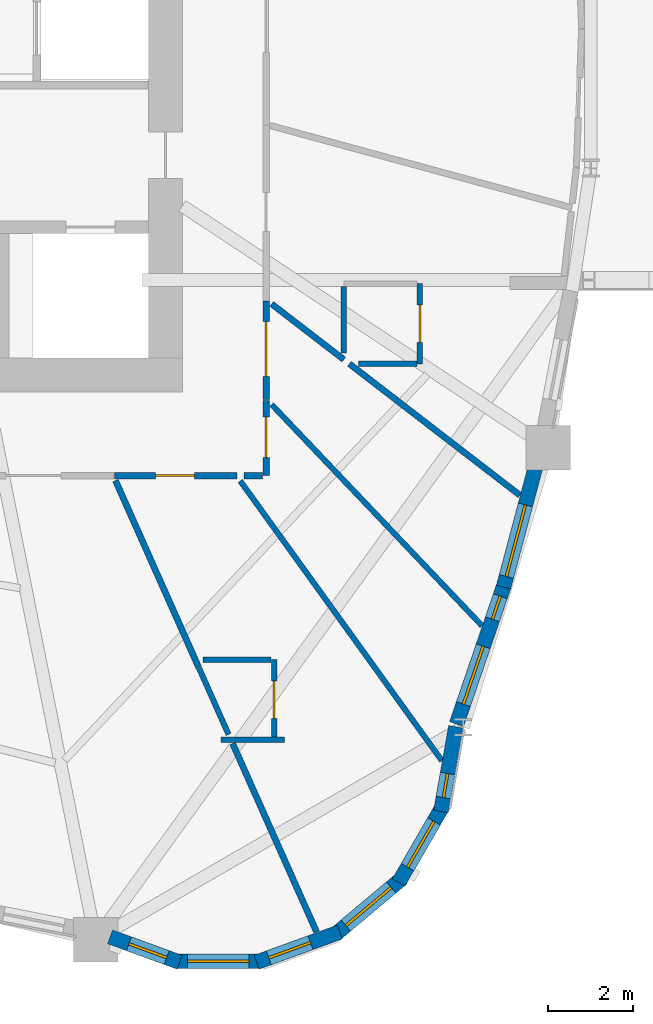
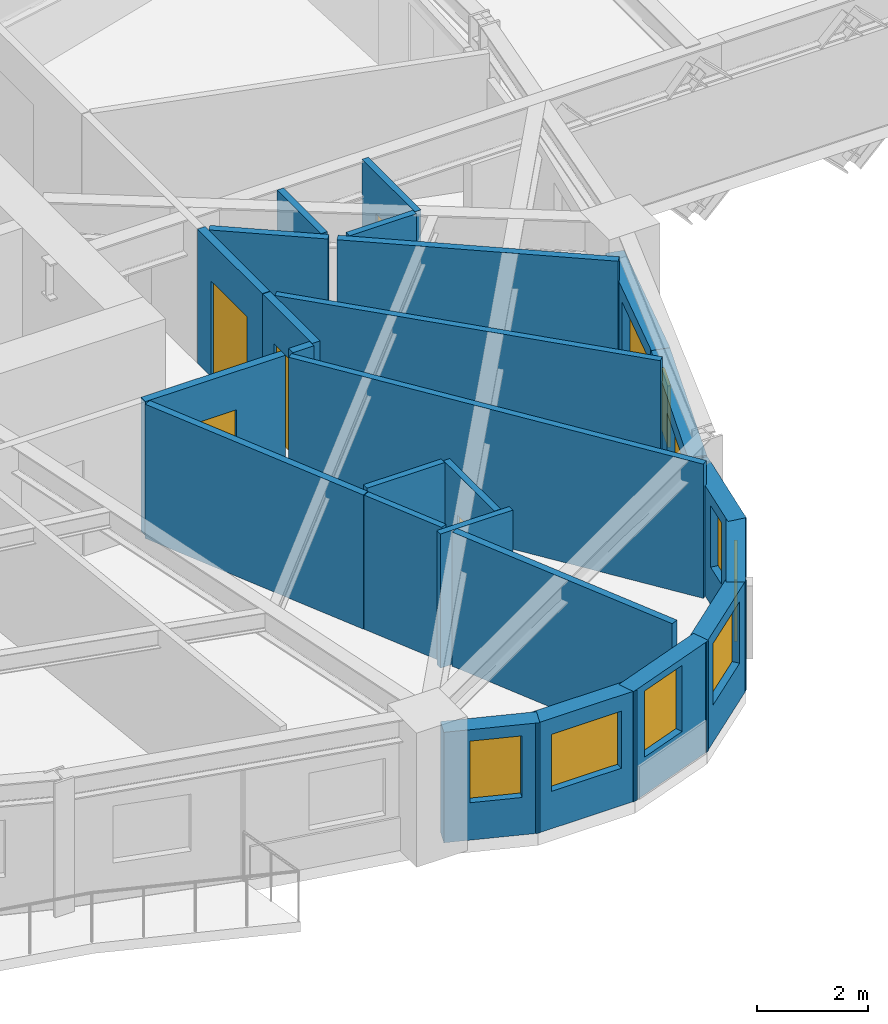
# One storey, part 7 of 16: 25 walls, 9 windows, 5 doors, 14 openings.
"""IFC4 building model written with IfcOpenShell, lengths in metres."""

from ifc_helpers import new_model, si_unit, direction, frame, frame_2d, origin, place, context, subcontext, project, spatial, rectangle, extrude, source, transform, mapped, material, layer, layer_set, type_object, element, fill, save


model = new_model("IFC4")

# Units and contexts
model_context = context("Model", 3, precision=1e-05, world=origin(), true_north=direction((0.0, 1.0)))
body_context = subcontext(model_context, "Body", "Model", "MODEL_VIEW")
ifc_project = project(units=[si_unit("LENGTHUNIT", "METRE"), si_unit("AREAUNIT", "SQUARE_METRE"), si_unit("VOLUMEUNIT", "CUBIC_METRE"), si_unit("PLANEANGLEUNIT", "RADIAN"), si_unit("MASSUNIT", "GRAM", prefix="KILO")], contexts=[model_context])

# Site, building, storey
site_placement = place(None, origin())
site = spatial("IfcSite", under=ifc_project, at=site_placement, CompositionType="ELEMENT")
building_placement = place(site_placement, origin())
building = spatial("IfcBuilding", under=site, at=building_placement, Name="Qafzar Sky-Pleat Residences", CompositionType="ELEMENT")
storey_placement = place(building_placement, frame((0.0, 0.0, 33.39990234375)))
storey = spatial("IfcBuildingStorey", under=building, at=storey_placement, Name="L09", CompositionType="ELEMENT", Elevation=33.39990234375)

# Wall, opening, door
ifc_material_1 = material(Name="Acoustic gypsum plasterboard partition", Category="gypsum")
ifc_layer_1 = layer(ifc_material_1, 0.159912109375)
ifc_layer_set_1 = layer_set([ifc_layer_1], Name="Acoustic gypsum plasterboard partition")
wall_type_1 = type_object("IfcWallType", Name="PART-COR-160", PredefinedType="PARTITIONING", material=ifc_layer_set_1)
wall_1_placement = place(storey_placement, frame((37.9951171875, 15.419921875, 0.0), z_axis=(0.0, 0.0, 1.0), x_axis=(-1.0, 0.0, 0.0)))
wall_1 = element("IfcWall", 1, at=wall_1_placement, inside=storey, type_object=wall_type_1, Name="L09 Partition Wall PART-L09-PW-015", PredefinedType="PARTITIONING", context=body_context, shape_type="SweptSolid", body=[
    extrude(rectangle(XDim=2.900146484375, YDim=0.159912109375, at=frame_2d((1.4501953125, 0.0))), origin(), (0.0, 0.0, 1.0), 2.940185546875),
])
opening_1_placement = place(wall_1_placement, frame((1.014404296875, 0.0, 0.0)))
opening_1 = element("IfcOpeningElement", 2, at=opening_1_placement, cuts=wall_1, Name="Opening ID-04", PredefinedType="OPENING", context=body_context, shape_type="SweptSolid", body=[
    extrude(rectangle(XDim=0.919921875, YDim=2.10009765625, at=frame_2d((0.4599609375, 1.050048828125))), frame((0.0, 0.08984375, 0.0), z_axis=(0.0, -1.0, 0.0), x_axis=(1.0, 0.0, 0.0)), (0.0, 0.0, 1.0), 0.179931640625),
])
ifc_material_2 = material(Name="Timber-faced fire door", Category="wood")
door_type_1 = type_object("IfcDoorType", Name="DR-BED-920", OperationType="NOTDEFINED", PredefinedType="DOOR", material=ifc_material_2)
shared_shape_1 = source(origin(), body_context, "Body", "SweptSolid", [
    extrude(rectangle(XDim=0.919921875, YDim=2.10009765625, at=frame_2d((0.4599609375, 1.050048828125))), frame((0.0, 0.02490234375, 0.0), z_axis=(0.0, -1.0, 0.0), x_axis=(1.0, 0.0, 0.0)), (0.0, 0.0, 1.0), 0.050048828125),
])
door_1_placement = place(opening_1_placement, origin())
door_1 = element("IfcDoor", 3, at=door_1_placement, inside=storey, type_object=door_type_1, Name="L09 Co-Living Bedroom 7 Door", OperationType="SINGLE_SWING_LEFT", OverallHeight=2.10009765625, OverallWidth=0.919921875, PredefinedType="DOOR", context=body_context, shape_type="MappedRepresentation", body=[
    mapped(shared_shape_1, transform((0.0, 0.0, 0.0), x_axis=(1.0, 0.0, 0.0), y_axis=(0.0, 1.0, 0.0), z_axis=(0.0, 0.0, 1.0), scale=1.0)),
])
fill(opening_1, door_1)

wall_2_placement = place(storey_placement, frame((38.679931640625, 19.549072265625, 0.0), z_axis=(0.0, 0.0, 1.0), x_axis=(0.0, -1.0, 0.0)))
wall_2 = element("IfcWall", 4, at=wall_2_placement, inside=storey, type_object=wall_type_1, Name="L09 Partition Wall PART-L09-PW-016", PredefinedType="PARTITIONING", context=body_context, shape_type="SweptSolid", body=[
    extrude(rectangle(XDim=2.3310546875, YDim=0.159912109375, at=frame_2d((1.16552734375, 0.0))), origin(), (0.0, 0.0, 1.0), 2.940185546875),
])
opening_2_placement = place(wall_2_placement, frame((0.487548828125, 0.0, 0.0)))
opening_2 = element("IfcOpeningElement", 5, at=opening_2_placement, cuts=wall_2, Name="Opening ID-05", PredefinedType="OPENING", context=body_context, shape_type="SweptSolid", body=[
    extrude(rectangle(XDim=1.300048828125, YDim=2.10009765625, at=frame_2d((0.64990234375, 1.050048828125))), frame((0.0, 0.08984375, 0.0), z_axis=(0.0, -1.0, 0.0), x_axis=(1.0, 0.0, 0.0)), (0.0, 0.0, 1.0), 0.179931640625),
])
door_type_2 = type_object("IfcDoorType", Name="DR-LNG-1300", OperationType="DOUBLE_DOOR_SINGLE_SWING", PredefinedType="DOOR", material=ifc_material_2)
shared_shape_2 = source(origin(), body_context, "Body", "SweptSolid", [
    extrude(rectangle(XDim=1.300048828125, YDim=2.10009765625, at=frame_2d((0.64990234375, 1.050048828125))), frame((0.0, 0.02490234375, 0.0), z_axis=(0.0, -1.0, 0.0), x_axis=(1.0, 0.0, 0.0)), (0.0, 0.0, 1.0), 0.050048828125),
])
door_2_placement = place(opening_2_placement, origin())
door_2 = element("IfcDoor", 6, at=door_2_placement, inside=storey, type_object=door_type_2, Name="L09 Scholar Study Room Door", OperationType="DOUBLE_DOOR_SINGLE_SWING", OverallHeight=2.10009765625, OverallWidth=1.300048828125, PredefinedType="DOOR", context=body_context, shape_type="MappedRepresentation", body=[
    mapped(shared_shape_2, transform((0.0, 0.0, 0.0), x_axis=(1.0, 0.0, 0.0), y_axis=(0.0, 1.0, 0.0), z_axis=(0.0, 0.0, 1.0), scale=1.0)),
])
fill(opening_2, door_2)

wall_3_placement = place(storey_placement, frame((38.679931640625, 17.202880859375, 0.0), z_axis=(0.0, 0.0, 1.0), x_axis=(0.0, -1.0, 0.0)))
wall_3 = element("IfcWall", 7, at=wall_3_placement, inside=storey, type_object=wall_type_1, Name="L09 Partition Wall PART-L09-PW-030", PredefinedType="PARTITIONING", context=body_context, shape_type="SweptSolid", body=[
    extrude(rectangle(XDim=1.782958984375, YDim=0.159912109375, at=frame_2d((0.8916015625, 0.0))), origin(), (0.0, 0.0, 1.0), 2.940185546875),
])
opening_3_placement = place(wall_3_placement, frame((0.39794921875, 0.0, 0.0)))
opening_3 = element("IfcOpeningElement", 8, at=opening_3_placement, cuts=wall_3, Name="Opening ID-08", PredefinedType="OPENING", context=body_context, shape_type="SweptSolid", body=[
    extrude(rectangle(XDim=0.949951171875, YDim=2.10009765625, at=frame_2d((0.47509765625, 1.050048828125))), frame((0.0, 0.08984375, 0.0), z_axis=(0.0, -1.0, 0.0), x_axis=(1.0, 0.0, 0.0)), (0.0, 0.0, 1.0), 0.179931640625),
])
door_type_3 = type_object("IfcDoorType", Name="DR-AWC-950", OperationType="NOTDEFINED", PredefinedType="DOOR", material=ifc_material_2)
shared_shape_3 = source(origin(), body_context, "Body", "SweptSolid", [
    extrude(rectangle(XDim=0.949951171875, YDim=2.10009765625, at=frame_2d((0.47509765625, 1.050048828125))), frame((0.0, 0.02490234375, 0.0), z_axis=(0.0, -1.0, 0.0), x_axis=(1.0, 0.0, 0.0)), (0.0, 0.0, 1.0), 0.050048828125),
])
door_3_placement = place(opening_3_placement, origin())
door_3 = element("IfcDoor", 9, at=door_3_placement, inside=storey, type_object=door_type_3, Name="L09 Accessible Shared Washroom Door", OperationType="SINGLE_SWING_RIGHT", OverallHeight=2.10009765625, OverallWidth=0.949951171875, PredefinedType="DOOR", context=body_context, shape_type="MappedRepresentation", body=[
    mapped(shared_shape_3, transform((0.0, 0.0, 0.0), x_axis=(1.0, 0.0, 0.0), y_axis=(0.0, 1.0, 0.0), z_axis=(0.0, 0.0, 1.0), scale=1.0)),
])
fill(opening_3, door_3)

# Walls
wall_4_placement = place(storey_placement, frame((38.15576171875, 15.419921875, 0.0), z_axis=(0.0, 0.0, 1.0), x_axis=(1.0, 0.0, 0.0)))
element("IfcWall", 10, at=wall_4_placement, inside=storey, type_object=wall_type_1, Name="L09 Partition Wall PART-L09-PW-097", PredefinedType="PARTITIONING", context=body_context, shape_type="SweptSolid", body=[
    extrude(rectangle(XDim=0.436279296875, YDim=0.159912109375, at=frame_2d((0.21826171875, 0.0))), origin(), (0.0, 0.0, 1.0), 2.940185546875),
])
ifc_layer_2 = layer(ifc_material_1, 0.14501953125)
ifc_layer_set_2 = layer_set([ifc_layer_2], Name="Acoustic gypsum plasterboard partition")
wall_type_2 = type_object("IfcWallType", Name="PART-UNIT-145", PredefinedType="PARTITIONING", material=ifc_layer_set_2)
wall_5_placement = place(storey_placement, frame((40.64892578125, 18.06591796875, 0.0), z_axis=(0.0, 0.0, 1.0), x_axis=(0.792155051101, -0.610319895641, 0.0)))
element("IfcWall", 11, at=wall_5_placement, inside=storey, type_object=wall_type_2, Name="L09 Partition Wall PART-L09-PW-048", PredefinedType="PARTITIONING", context=body_context, shape_type="SweptSolid", body=[
    extrude(rectangle(XDim=5.0927734375, YDim=0.14501953125, at=frame_2d((2.54638671875, 0.0))), origin(), (0.0, 0.0, 1.0), 2.940185546875),
])
wall_6_placement = place(storey_placement, frame((37.88720703125, 9.082275390625, 0.0), z_axis=(0.0, 0.0, 1.0), x_axis=(0.406941066305, -0.913454415149, 0.0)))
element("IfcWall", 12, at=wall_6_placement, inside=storey, type_object=wall_type_2, Name="L09 Partition Wall PART-L09-PW-049", PredefinedType="PARTITIONING", context=body_context, shape_type="SweptSolid", body=[
    extrude(rectangle(XDim=4.8818359375, YDim=0.14501953125, at=frame_2d((2.44091796875, 0.0))), origin(), (0.0, 0.0, 1.0), 2.940185546875),
])
wall_7_placement = place(storey_placement, frame((35.115966796875, 15.30322265625, 0.0), z_axis=(0.0, 0.0, 1.0), x_axis=(0.406910733823, -0.913467927571, 0.0)))
element("IfcWall", 13, at=wall_7_placement, inside=storey, type_object=wall_type_2, Name="L09 Partition Wall PART-L09-PW-050", PredefinedType="PARTITIONING", context=body_context, shape_type="SweptSolid", body=[
    extrude(rectangle(XDim=4.8388671875, YDim=0.14501953125, at=frame_2d((2.41943359375, 0.0))), origin(), (0.0, 0.0, 1.0), 2.940185546875),
])
wall_8_placement = place(storey_placement, frame((38.810546875, 19.482421875, 0.0), z_axis=(0.0, 0.0, 1.0), x_axis=(0.792185877025, -0.61027988353, 0.0)))
element("IfcWall", 14, at=wall_8_placement, inside=storey, type_object=wall_type_2, Name="L09 Partition Wall PART-L09-PW-059", PredefinedType="PARTITIONING", context=body_context, shape_type="SweptSolid", body=[
    extrude(rectangle(XDim=2.155517578125, YDim=0.14501953125, at=frame_2d((1.07763671875, 0.0))), origin(), (0.0, 0.0, 1.0), 2.940185546875),
])

# Wall, opening, door
ifc_material_3 = material(Name="Moisture-resistant gypsum partition", Category="gypsum")
ifc_layer_3 = layer(ifc_material_3, 0.1298828125)
ifc_layer_set_3 = layer_set([ifc_layer_3], Name="Moisture-resistant gypsum partition")
wall_type_3 = type_object("IfcWallType", Name="PART-WET-130", PredefinedType="PARTITIONING", material=ifc_layer_set_3)
wall_9_placement = place(storey_placement, frame((42.318115234375, 18.06591796875, 0.0), z_axis=(0.0, 0.0, 1.0), x_axis=(0.0, 1.0, 0.0)))
wall_9 = element("IfcWall", 15, at=wall_9_placement, inside=storey, type_object=wall_type_3, Name="L09 Partition Wall PART-L09-PW-020", PredefinedType="PARTITIONING", context=body_context, shape_type="SweptSolid", body=[
    extrude(rectangle(XDim=1.900146484375, YDim=0.1298828125, at=frame_2d((0.9501953125, 0.0))), origin(), (0.0, 0.0, 1.0), 2.940185546875),
])
opening_4_placement = place(wall_9_placement, frame((0.510009765625, 0.0, 0.0)))
opening_4 = element("IfcOpeningElement", 16, at=opening_4_placement, cuts=wall_9, Name="Opening ID-07", PredefinedType="OPENING", context=body_context, shape_type="SweptSolid", body=[
    extrude(rectangle(XDim=0.8798828125, YDim=2.050048828125, at=frame_2d((0.43994140625, 1.02490234375))), frame((0.0, 0.074951171875, 0.0), z_axis=(0.0, -1.0, 0.0), x_axis=(1.0, 0.0, 0.0)), (0.0, 0.0, 1.0), 0.14990234375),
])
door_type_4 = type_object("IfcDoorType", Name="DR-WET-880", OperationType="NOTDEFINED", PredefinedType="DOOR", material=ifc_material_2)
shared_shape_4 = source(origin(), body_context, "Body", "SweptSolid", [
    extrude(rectangle(XDim=0.8798828125, YDim=2.050048828125, at=frame_2d((0.43994140625, 1.02490234375))), frame((0.0, 0.02490234375, 0.0), z_axis=(0.0, -1.0, 0.0), x_axis=(1.0, 0.0, 0.0)), (0.0, 0.0, 1.0), 0.050048828125),
])
door_4_placement = place(opening_4_placement, origin())
door_4 = element("IfcDoor", 17, at=door_4_placement, inside=storey, type_object=door_type_4, Name="L09 En-suite Bathroom 8 Door", OperationType="SINGLE_SWING_RIGHT", OverallHeight=2.050048828125, OverallWidth=0.8798828125, PredefinedType="DOOR", context=body_context, shape_type="MappedRepresentation", body=[
    mapped(shared_shape_4, transform((0.0, 0.0, 0.0), x_axis=(1.0, 0.0, 0.0), y_axis=(0.0, 1.0, 0.0), z_axis=(0.0, 0.0, 1.0), scale=1.0)),
])
fill(opening_4, door_4)

wall_10_placement = place(storey_placement, frame((38.8701171875, 9.241943359375, 0.0), z_axis=(0.0, 0.0, 1.0), x_axis=(0.0, 1.0, 0.0)))
wall_10 = element("IfcWall", 18, at=wall_10_placement, inside=storey, type_object=wall_type_3, Name="L09 Partition Wall PART-L09-PW-022", PredefinedType="PARTITIONING", context=body_context, shape_type="SweptSolid", body=[
    extrude(rectangle(XDim=1.8271484375, YDim=0.1298828125, at=frame_2d((0.91357421875, 0.0))), origin(), (0.0, 0.0, 1.0), 2.940185546875),
])
opening_5_placement = place(wall_10_placement, frame((0.43701171875, 0.0, 0.0)))
opening_5 = element("IfcOpeningElement", 19, at=opening_5_placement, cuts=wall_10, Name="Opening ID-07", PredefinedType="OPENING", context=body_context, shape_type="SweptSolid", body=[
    extrude(rectangle(XDim=0.8798828125, YDim=2.050048828125, at=frame_2d((0.43994140625, 1.02490234375))), frame((0.0, 0.074951171875, 0.0), z_axis=(0.0, -1.0, 0.0), x_axis=(1.0, 0.0, 0.0)), (0.0, 0.0, 1.0), 0.14990234375),
])
door_5_placement = place(opening_5_placement, origin())
door_5 = element("IfcDoor", 20, at=door_5_placement, inside=storey, type_object=door_type_4, Name="L09 En-suite Bathroom 7 Door", OperationType="SINGLE_SWING_RIGHT", OverallHeight=2.050048828125, OverallWidth=0.8798828125, PredefinedType="DOOR", context=body_context, shape_type="MappedRepresentation", body=[
    mapped(shared_shape_4, transform((0.0, 0.0, 0.0), x_axis=(1.0, 0.0, 0.0), y_axis=(0.0, 1.0, 0.0), z_axis=(0.0, 0.0, 1.0), scale=1.0)),
])
fill(opening_5, door_5)

# Walls
wall_11_placement = place(storey_placement, frame((38.06689453125, 15.29541015625, 0.0), z_axis=(0.0, 0.0, 1.0), x_axis=(0.584777320582, -0.811193864211, 0.0)))
element("IfcWall", 21, at=wall_11_placement, inside=storey, type_object=wall_type_3, Name="L09 Partition Wall PART-L09-PW-039", PredefinedType="PARTITIONING", context=body_context, shape_type="SweptSolid", body=[
    extrude(rectangle(XDim=8.16357421875, YDim=0.1298828125, at=frame_2d((4.081787109375, 0.0))), origin(), (0.0, 0.0, 1.0), 2.940185546875),
])
wall_12_placement = place(storey_placement, frame((38.8125, 17.1005859375, 0.0), z_axis=(0.0, 0.0, 1.0), x_axis=(0.689140556814, -0.724627692649, 0.0)))
element("IfcWall", 22, at=wall_12_placement, inside=storey, type_object=wall_type_3, Name="L09 Partition Wall PART-L09-PW-044", PredefinedType="PARTITIONING", context=body_context, shape_type="SweptSolid", body=[
    extrude(rectangle(XDim=7.216796875, YDim=0.1298828125, at=frame_2d((3.6083984375, 0.0))), origin(), (0.0, 0.0, 1.0), 2.940185546875),
])
wall_13_placement = place(storey_placement, frame((37.091064453125, 10.869140625, 0.0), z_axis=(0.0, 0.0, 1.0), x_axis=(0.406835672622, -0.913501360416, 0.0)))
element("IfcWall", 23, at=wall_13_placement, inside=storey, type_object=wall_type_3, Name="L09 Partition Wall PART-L09-PW-067", PredefinedType="PARTITIONING", context=body_context, shape_type="SweptSolid", body=[
    extrude(rectangle(XDim=1.7216796875, YDim=0.1298828125, at=frame_2d((0.86083984375, 0.0))), origin(), (0.0, 0.0, 1.0), 2.940185546875),
])
wall_14_placement = place(storey_placement, frame((37.186279296875, 11.069091796875, 0.0), z_axis=(0.0, 0.0, 1.0), x_axis=(1.0, 0.0, 0.0)))
element("IfcWall", 24, at=wall_14_placement, inside=storey, type_object=wall_type_3, Name="L09 Partition Wall PART-L09-PW-075", PredefinedType="PARTITIONING", context=body_context, shape_type="SweptSolid", body=[
    extrude(rectangle(XDim=1.61083984375, YDim=0.1298828125, at=frame_2d((0.805419921875, 0.0))), origin(), (0.0, 0.0, 1.0), 2.940185546875),
])
wall_15_placement = place(storey_placement, frame((40.51806640625, 18.316650390625, 0.0), z_axis=(0.0, 0.0, 1.0), x_axis=(0.0, 1.0, 0.0)))
element("IfcWall", 25, at=wall_15_placement, inside=storey, type_object=wall_type_3, Name="L09 Partition Wall PART-L09-PW-079", PredefinedType="PARTITIONING", context=body_context, shape_type="SweptSolid", body=[
    extrude(rectangle(XDim=1.576416015625, YDim=0.1298828125, at=frame_2d((0.7880859375, 0.0))), origin(), (0.0, 0.0, 1.0), 2.940185546875),
])
wall_16_placement = place(storey_placement, frame((40.860107421875, 18.06591796875, 0.0), z_axis=(0.0, 0.0, 1.0), x_axis=(1.0, 0.0, 0.0)))
element("IfcWall", 26, at=wall_16_placement, inside=storey, type_object=wall_type_3, Name="L09 Partition Wall PART-L09-PW-085", PredefinedType="PARTITIONING", context=body_context, shape_type="SweptSolid", body=[
    extrude(rectangle(XDim=1.385009765625, YDim=0.1298828125, at=frame_2d((0.6923828125, 0.0))), origin(), (0.0, 0.0, 1.0), 2.940185546875),
])
wall_17_placement = place(storey_placement, frame((37.60888671875, 9.1689453125, 0.0), z_axis=(0.0, 0.0, 1.0), x_axis=(1.0, 0.0, 0.0)))
element("IfcWall", 27, at=wall_17_placement, inside=storey, type_object=wall_type_3, Name="L09 Partition Wall PART-L09-PW-094", PredefinedType="PARTITIONING", context=body_context, shape_type="SweptSolid", body=[
    extrude(rectangle(XDim=1.501220703125, YDim=0.1298828125, at=frame_2d((0.75048828125, 0.0))), origin(), (0.0, 0.0, 1.0), 2.940185546875),
])

# Wall, opening, window
ifc_material_4 = material(Name="Precast concrete C40/50 with honed Riyadh limestone", Category="concrete")
ifc_layer_4 = layer(ifc_material_4, 0.35009765625)
ifc_layer_set_4 = layer_set([ifc_layer_4], Name="Precast concrete C40/50 with honed Riyadh limestone")
wall_type_4 = type_object("IfcWallType", Name="WALL-EXT-350", PredefinedType="SOLIDWALL", material=ifc_layer_set_4)
wall_18_placement = place(storey_placement, frame((34.98681640625, 4.50634765625, 0.0), z_axis=(0.0, 0.0, 1.0), x_axis=(0.939720171257, -0.341944439541, 0.0)))
wall_18 = element("IfcWall", 28, at=wall_18_placement, inside=storey, type_object=wall_type_4, Name="L09 Limestone Facade Wall 17", PredefinedType="SOLIDWALL", context=body_context, shape_type="SweptSolid", body=[
    extrude(rectangle(XDim=1.752197265625, YDim=0.35009765625, at=frame_2d((0.8759765625, 0.0))), origin(), (0.0, 0.0, 1.0), 2.420166015625),
])
opening_6_placement = place(wall_18_placement, frame((0.47607421875, 0.0, 0.820068359375)))
opening_6 = element("IfcOpeningElement", 29, at=opening_6_placement, cuts=wall_18, Name="Opening WN-12", PredefinedType="OPENING", context=body_context, shape_type="SweptSolid", body=[
    extrude(rectangle(XDim=0.949951171875, YDim=1.35009765625, at=frame_2d((0.47509765625, 0.675048828125))), frame((0.0, 0.18505859375, 0.0), z_axis=(0.0, -1.0, 0.0), x_axis=(1.0, 0.0, 0.0)), (0.0, 0.0, 1.0), 0.3701171875),
])
ifc_material_5 = material(Name="Solar-control low-E glass in bronze aluminium frame", Category="glass")
window_type_1 = type_object("IfcWindowType", Name="WIN-12", PartitioningType="SINGLE_PANEL", PredefinedType="WINDOW", material=ifc_material_5)
shared_shape_5 = source(origin(), body_context, "Body", "SweptSolid", [
    extrude(rectangle(XDim=0.949951171875, YDim=1.35009765625, at=frame_2d((0.47509765625, 0.675048828125))), frame((0.0, 0.030029296875, 0.0), z_axis=(0.0, -1.0, 0.0), x_axis=(1.0, 0.0, 0.0)), (0.0, 0.0, 1.0), 0.06005859375),
])
window_1_placement = place(opening_6_placement, origin())
window_1 = element("IfcWindow", 30, at=window_1_placement, inside=storey, type_object=window_type_1, Name="L09 Punched Facade Window 17", OverallHeight=1.35009765625, OverallWidth=0.949951171875, PartitioningType="SINGLE_PANEL", PredefinedType="WINDOW", context=body_context, shape_type="MappedRepresentation", body=[
    mapped(shared_shape_5, transform((0.0, 0.0, 0.0), x_axis=(1.0, 0.0, 0.0), y_axis=(0.0, 1.0, 0.0), z_axis=(0.0, 0.0, 1.0), scale=1.0)),
])
fill(opening_6, window_1)

wall_19_placement = place(storey_placement, frame((36.499755859375, 3.9306640625, 0.0), z_axis=(0.0, 0.0, 1.0), x_axis=(1.0, 0.0, 0.0)))
wall_19 = element("IfcWall", 31, at=wall_19_placement, inside=storey, type_object=wall_type_4, Name="L09 Limestone Facade Wall 18", PredefinedType="SOLIDWALL", context=body_context, shape_type="SweptSolid", body=[
    extrude(rectangle(XDim=2.09033203125, YDim=0.35009765625, at=frame_2d((1.045166015625, 0.0))), origin(), (0.0, 0.0, 1.0), 2.420166015625),
])
opening_7_placement = place(wall_19_placement, frame((0.3203125, 0.0, 0.820068359375)))
opening_7 = element("IfcOpeningElement", 32, at=opening_7_placement, cuts=wall_19, Name="Opening WN-15", PredefinedType="OPENING", context=body_context, shape_type="SweptSolid", body=[
    extrude(rectangle(XDim=1.449951171875, YDim=1.25, at=frame_2d((0.72509765625, 0.625))), frame((0.0, 0.18505859375, 0.0), z_axis=(0.0, -1.0, 0.0), x_axis=(1.0, 0.0, 0.0)), (0.0, 0.0, 1.0), 0.3701171875),
])
window_type_2 = type_object("IfcWindowType", Name="WIN-15", PartitioningType="SINGLE_PANEL", PredefinedType="WINDOW", material=ifc_material_5)
shared_shape_6 = source(origin(), body_context, "Body", "SweptSolid", [
    extrude(rectangle(XDim=1.449951171875, YDim=1.25, at=frame_2d((0.72509765625, 0.625))), frame((0.0, 0.030029296875, 0.0), z_axis=(0.0, -1.0, 0.0), x_axis=(1.0, 0.0, 0.0)), (0.0, 0.0, 1.0), 0.06005859375),
])
window_2_placement = place(opening_7_placement, origin())
window_2 = element("IfcWindow", 33, at=window_2_placement, inside=storey, type_object=window_type_2, Name="L09 Punched Facade Window 18", OverallHeight=1.25, OverallWidth=1.449951171875, PartitioningType="SINGLE_PANEL", PredefinedType="WINDOW", context=body_context, shape_type="MappedRepresentation", body=[
    mapped(shared_shape_6, transform((0.0, 0.0, 0.0), x_axis=(1.0, 0.0, 0.0), y_axis=(0.0, 1.0, 0.0), z_axis=(0.0, 0.0, 1.0), scale=1.0)),
])
fill(opening_7, window_2)

wall_20_placement = place(storey_placement, frame((38.45654296875, 3.9072265625, 0.0), z_axis=(0.0, 0.0, 1.0), x_axis=(0.939711556618, 0.341968113072, 0.0)))
wall_20 = element("IfcWall", 34, at=wall_20_placement, inside=storey, type_object=wall_type_4, Name="L09 Limestone Facade Wall 19", PredefinedType="SOLIDWALL", context=body_context, shape_type="SweptSolid", body=[
    extrude(rectangle(XDim=2.09033203125, YDim=0.35009765625, at=frame_2d((1.045166015625, 0.0))), origin(), (0.0, 0.0, 1.0), 2.420166015625),
])
opening_8_placement = place(wall_20_placement, frame((0.303955078125, 0.0, 0.820068359375)))
opening_8 = element("IfcOpeningElement", 35, at=opening_8_placement, cuts=wall_20, Name="Opening WN-06", PredefinedType="OPENING", context=body_context, shape_type="SweptSolid", body=[
    extrude(rectangle(XDim=1.050048828125, YDim=1.449951171875, at=frame_2d((0.52490234375, 0.72509765625))), frame((0.0, 0.18505859375, 0.0), z_axis=(0.0, -1.0, 0.0), x_axis=(1.0, 0.0, 0.0)), (0.0, 0.0, 1.0), 0.3701171875),
])
window_type_3 = type_object("IfcWindowType", Name="WIN-06", PartitioningType="SINGLE_PANEL", PredefinedType="WINDOW", material=ifc_material_5)
shared_shape_7 = source(origin(), body_context, "Body", "SweptSolid", [
    extrude(rectangle(XDim=1.050048828125, YDim=1.449951171875, at=frame_2d((0.52490234375, 0.72509765625))), frame((0.0, 0.030029296875, 0.0), z_axis=(0.0, -1.0, 0.0), x_axis=(1.0, 0.0, 0.0)), (0.0, 0.0, 1.0), 0.06005859375),
])
window_3_placement = place(opening_8_placement, origin())
window_3 = element("IfcWindow", 36, at=window_3_placement, inside=storey, type_object=window_type_3, Name="L09 Punched Facade Window 19", OverallHeight=1.449951171875, OverallWidth=1.050048828125, PartitioningType="SINGLE_PANEL", PredefinedType="WINDOW", context=body_context, shape_type="MappedRepresentation", body=[
    mapped(shared_shape_7, transform((0.0, 0.0, 0.0), x_axis=(1.0, 0.0, 0.0), y_axis=(0.0, 1.0, 0.0), z_axis=(0.0, 0.0, 1.0), scale=1.0)),
])
fill(opening_8, window_3)

wall_21_placement = place(storey_placement, frame((40.303466796875, 4.55419921875, 0.0), z_axis=(0.0, 0.0, 1.0), x_axis=(0.766024572719, 0.642811289563, 0.0)))
wall_21 = element("IfcWall", 37, at=wall_21_placement, inside=storey, type_object=wall_type_4, Name="L09 Limestone Facade Wall 20", PredefinedType="SOLIDWALL", context=body_context, shape_type="SweptSolid", body=[
    extrude(rectangle(XDim=2.09033203125, YDim=0.35009765625, at=frame_2d((1.045166015625, 0.0))), origin(), (0.0, 0.0, 1.0), 2.420166015625),
])
opening_9_placement = place(wall_21_placement, frame((0.34521484375, 0.0, 0.820068359375)))
opening_9 = element("IfcOpeningElement", 38, at=opening_9_placement, cuts=wall_21, Name="Opening WN-10", PredefinedType="OPENING", context=body_context, shape_type="SweptSolid", body=[
    extrude(rectangle(XDim=1.39990234375, YDim=1.35009765625, at=frame_2d((0.699951171875, 0.675048828125))), frame((0.0, 0.18505859375, 0.0), z_axis=(0.0, -1.0, 0.0), x_axis=(1.0, 0.0, 0.0)), (0.0, 0.0, 1.0), 0.3701171875),
])
window_type_4 = type_object("IfcWindowType", Name="WIN-10", PartitioningType="SINGLE_PANEL", PredefinedType="WINDOW", material=ifc_material_5)
shared_shape_8 = source(origin(), body_context, "Body", "SweptSolid", [
    extrude(rectangle(XDim=1.39990234375, YDim=1.35009765625, at=frame_2d((0.699951171875, 0.675048828125))), frame((0.0, 0.030029296875, 0.0), z_axis=(0.0, -1.0, 0.0), x_axis=(1.0, 0.0, 0.0)), (0.0, 0.0, 1.0), 0.06005859375),
])
window_4_placement = place(opening_9_placement, origin())
window_4 = element("IfcWindow", 39, at=window_4_placement, inside=storey, type_object=window_type_4, Name="L09 Punched Facade Window 20", OverallHeight=1.35009765625, OverallWidth=1.39990234375, PartitioningType="SINGLE_PANEL", PredefinedType="WINDOW", context=body_context, shape_type="MappedRepresentation", body=[
    mapped(shared_shape_8, transform((0.0, 0.0, 0.0), x_axis=(1.0, 0.0, 0.0), y_axis=(0.0, 1.0, 0.0), z_axis=(0.0, 0.0, 1.0), scale=1.0)),
])
fill(opening_9, window_4)

wall_22_placement = place(storey_placement, frame((41.8173828125, 5.7939453125, 0.0), z_axis=(0.0, 0.0, 1.0), x_axis=(0.499995423472, 0.866028046028, 0.0)))
wall_22 = element("IfcWall", 40, at=wall_22_placement, inside=storey, type_object=wall_type_4, Name="L09 Limestone Facade Wall 21", PredefinedType="SOLIDWALL", context=body_context, shape_type="SweptSolid", body=[
    extrude(rectangle(XDim=2.09033203125, YDim=0.35009765625, at=frame_2d((1.045166015625, 0.0))), origin(), (0.0, 0.0, 1.0), 2.420166015625),
])
opening_10_placement = place(wall_22_placement, frame((0.420166015625, 0.0, 0.820068359375)))
opening_10 = element("IfcOpeningElement", 41, at=opening_10_placement, cuts=wall_22, Name="Opening WN-11", PredefinedType="OPENING", context=body_context, shape_type="SweptSolid", body=[
    extrude(rectangle(XDim=1.25, YDim=1.35009765625, at=frame_2d((0.625, 0.675048828125))), frame((0.0, 0.18505859375, 0.0), z_axis=(0.0, -1.0, 0.0), x_axis=(1.0, 0.0, 0.0)), (0.0, 0.0, 1.0), 0.3701171875),
])
window_type_5 = type_object("IfcWindowType", Name="WIN-11", PartitioningType="SINGLE_PANEL", PredefinedType="WINDOW", material=ifc_material_5)
shared_shape_9 = source(origin(), body_context, "Body", "SweptSolid", [
    extrude(rectangle(XDim=1.25, YDim=1.35009765625, at=frame_2d((0.625, 0.675048828125))), frame((0.0, 0.030029296875, 0.0), z_axis=(0.0, -1.0, 0.0), x_axis=(1.0, 0.0, 0.0)), (0.0, 0.0, 1.0), 0.06005859375),
])
window_5_placement = place(opening_10_placement, origin())
window_5 = element("IfcWindow", 42, at=window_5_placement, inside=storey, type_object=window_type_5, Name="L09 Punched Facade Window 21", OverallHeight=1.35009765625, OverallWidth=1.25, PartitioningType="SINGLE_PANEL", PredefinedType="WINDOW", context=body_context, shape_type="MappedRepresentation", body=[
    mapped(shared_shape_9, transform((0.0, 0.0, 0.0), x_axis=(1.0, 0.0, 0.0), y_axis=(0.0, 1.0, 0.0), z_axis=(0.0, 0.0, 1.0), scale=1.0)),
])
fill(opening_10, window_5)

wall_23_placement = place(storey_placement, frame((42.81640625, 7.476806640625, 0.0), z_axis=(0.0, 0.0, 1.0), x_axis=(0.173586593252, 0.984818610021, 0.0)))
wall_23 = element("IfcWall", 43, at=wall_23_placement, inside=storey, type_object=wall_type_4, Name="L09 Limestone Facade Wall 22", PredefinedType="SOLIDWALL", context=body_context, shape_type="SweptSolid", body=[
    extrude(rectangle(XDim=2.0322265625, YDim=0.35009765625, at=frame_2d((1.01611328125, 0.0))), origin(), (0.0, 0.0, 1.0), 2.420166015625),
])
opening_11_placement = place(wall_23_placement, frame((0.33203125, 0.0, 0.820068359375)))
opening_11 = element("IfcOpeningElement", 44, at=opening_11_placement, cuts=wall_23, Name="Opening WN-17", PredefinedType="OPENING", context=body_context, shape_type="SweptSolid", body=[
    extrude(rectangle(XDim=0.580078125, YDim=1.35009765625, at=frame_2d((0.2900390625, 0.675048828125))), frame((0.0, 0.18505859375, 0.0), z_axis=(0.0, -1.0, 0.0), x_axis=(1.0, 0.0, 0.0)), (0.0, 0.0, 1.0), 0.3701171875),
])
window_type_6 = type_object("IfcWindowType", Name="WIN-17", PartitioningType="SINGLE_PANEL", PredefinedType="WINDOW", material=ifc_material_5)
shared_shape_10 = source(origin(), body_context, "Body", "SweptSolid", [
    extrude(rectangle(XDim=0.580078125, YDim=1.35009765625, at=frame_2d((0.2900390625, 0.675048828125))), frame((0.0, 0.030029296875, 0.0), z_axis=(0.0, -1.0, 0.0), x_axis=(1.0, 0.0, 0.0)), (0.0, 0.0, 1.0), 0.06005859375),
])
window_6_placement = place(opening_11_placement, origin())
window_6 = element("IfcWindow", 45, at=window_6_placement, inside=storey, type_object=window_type_6, Name="L09 Punched Facade Window 22", OverallHeight=1.35009765625, OverallWidth=0.580078125, PartitioningType="SINGLE_PANEL", PredefinedType="WINDOW", context=body_context, shape_type="MappedRepresentation", body=[
    mapped(shared_shape_10, transform((0.0, 0.0, 0.0), x_axis=(1.0, 0.0, 0.0), y_axis=(0.0, 1.0, 0.0), z_axis=(0.0, 0.0, 1.0), scale=1.0)),
])
fill(opening_11, window_6)

# Wall, openings, windows
wall_24_placement = place(storey_placement, frame((43.185791015625, 9.543212890625, 0.0), z_axis=(0.0, 0.0, 1.0), x_axis=(0.323620542135, 0.946186950189, 0.0)))
wall_24 = element("IfcWall", 46, at=wall_24_placement, inside=storey, type_object=wall_type_4, Name="L09 Limestone Facade Wall 23", PredefinedType="SOLIDWALL", context=body_context, shape_type="SweptSolid", body=[
    extrude(rectangle(XDim=3.512451171875, YDim=0.35009765625, at=frame_2d((1.75634765625, 0.0))), origin(), (0.0, 0.0, 1.0), 2.420166015625),
])
opening_12_placement = place(wall_24_placement, frame((0.497802734375, 0.0, 0.820068359375)))
opening_12 = element("IfcOpeningElement", 47, at=opening_12_placement, cuts=wall_24, Name="Opening WN-15", PredefinedType="OPENING", context=body_context, shape_type="SweptSolid", body=[
    extrude(rectangle(XDim=1.449951171875, YDim=1.25, at=frame_2d((0.72509765625, 0.625))), frame((0.0, 0.18505859375, 0.0), z_axis=(0.0, -1.0, 0.0), x_axis=(1.0, 0.0, 0.0)), (0.0, 0.0, 1.0), 0.3701171875),
])
opening_13_placement = place(wall_24_placement, frame((2.619384765625, 0.0, 0.820068359375)))
opening_13 = element("IfcOpeningElement", 48, at=opening_13_placement, cuts=wall_24, Name="Opening WN-17", PredefinedType="OPENING", context=body_context, shape_type="SweptSolid", body=[
    extrude(rectangle(XDim=0.580078125, YDim=1.35009765625, at=frame_2d((0.2900390625, 0.675048828125))), frame((0.0, 0.18505859375, 0.0), z_axis=(0.0, -1.0, 0.0), x_axis=(1.0, 0.0, 0.0)), (0.0, 0.0, 1.0), 0.3701171875),
])
window_7_placement = place(opening_12_placement, origin())
window_7 = element("IfcWindow", 49, at=window_7_placement, inside=storey, type_object=window_type_2, Name="L09 Punched Facade Window 23", OverallHeight=1.25, OverallWidth=1.449951171875, PartitioningType="SINGLE_PANEL", PredefinedType="WINDOW", context=body_context, shape_type="MappedRepresentation", body=[
    mapped(shared_shape_6, transform((0.0, 0.0, 0.0), x_axis=(1.0, 0.0, 0.0), y_axis=(0.0, 1.0, 0.0), z_axis=(0.0, 0.0, 1.0), scale=1.0)),
])
fill(opening_12, window_7)
window_8_placement = place(opening_13_placement, origin())
window_8 = element("IfcWindow", 50, at=window_8_placement, inside=storey, type_object=window_type_6, Name="L09 Punched Facade Window 23-2", OverallHeight=1.35009765625, OverallWidth=0.580078125, PartitioningType="SINGLE_PANEL", PredefinedType="WINDOW", context=body_context, shape_type="MappedRepresentation", body=[
    mapped(shared_shape_10, transform((0.0, 0.0, 0.0), x_axis=(1.0, 0.0, 0.0), y_axis=(0.0, 1.0, 0.0), z_axis=(0.0, 0.0, 1.0), scale=1.0)),
])
fill(opening_13, window_8)

# Wall, opening, window
wall_25_placement = place(storey_placement, frame((44.296875, 12.782470703125, 0.0), z_axis=(0.0, 0.0, 1.0), x_axis=(0.257090265476, 0.96638739406, 0.0)))
wall_25 = element("IfcWall", 51, at=wall_25_placement, inside=storey, type_object=wall_type_4, Name="L09 Limestone Facade Wall 24", PredefinedType="SOLIDWALL", context=body_context, shape_type="SweptSolid", body=[
    extrude(rectangle(XDim=3.159423828125, YDim=0.35009765625, at=frame_2d((1.57958984375, 0.0))), origin(), (0.0, 0.0, 1.0), 2.420166015625),
])
opening_14_placement = place(wall_25_placement, frame((0.261474609375, 0.0, 0.820068359375)))
opening_14 = element("IfcOpeningElement", 52, at=opening_14_placement, cuts=wall_25, Name="Opening WN-14", PredefinedType="OPENING", context=body_context, shape_type="SweptSolid", body=[
    extrude(rectangle(XDim=1.75, YDim=1.300048828125, at=frame_2d((0.875, 0.64990234375))), frame((0.0, 0.18505859375, 0.0), z_axis=(0.0, -1.0, 0.0), x_axis=(1.0, 0.0, 0.0)), (0.0, 0.0, 1.0), 0.3701171875),
])
window_type_7 = type_object("IfcWindowType", Name="WIN-14", PartitioningType="DOUBLE_PANEL_VERTICAL", PredefinedType="WINDOW", material=ifc_material_5)
shared_shape_11 = source(origin(), body_context, "Body", "SweptSolid", [
    extrude(rectangle(XDim=1.75, YDim=1.300048828125, at=frame_2d((0.875, 0.64990234375))), frame((0.0, 0.030029296875, 0.0), z_axis=(0.0, -1.0, 0.0), x_axis=(1.0, 0.0, 0.0)), (0.0, 0.0, 1.0), 0.06005859375),
])
window_9_placement = place(opening_14_placement, origin())
window_9 = element("IfcWindow", 53, at=window_9_placement, inside=storey, type_object=window_type_7, Name="L09 Punched Facade Window 24", OverallHeight=1.300048828125, OverallWidth=1.75, PartitioningType="SINGLE_PANEL", PredefinedType="WINDOW", context=body_context, shape_type="MappedRepresentation", body=[
    mapped(shared_shape_11, transform((0.0, 0.0, 0.0), x_axis=(1.0, 0.0, 0.0), y_axis=(0.0, 1.0, 0.0), z_axis=(0.0, 0.0, 1.0), scale=1.0)),
])
fill(opening_14, window_9)

save(model, "model.ifc")
